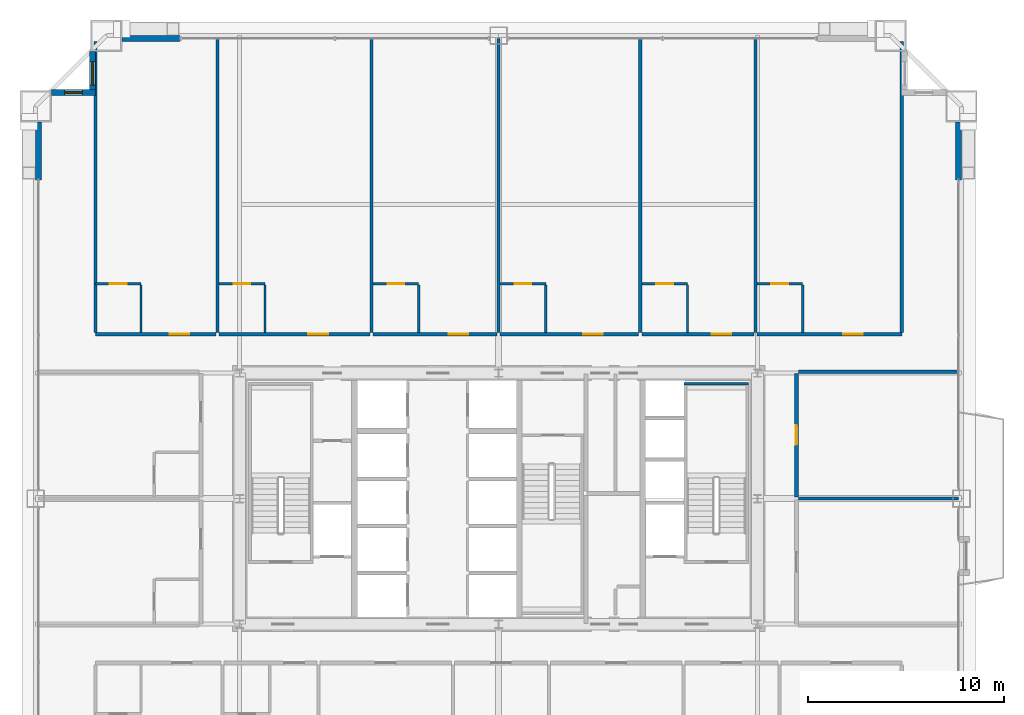
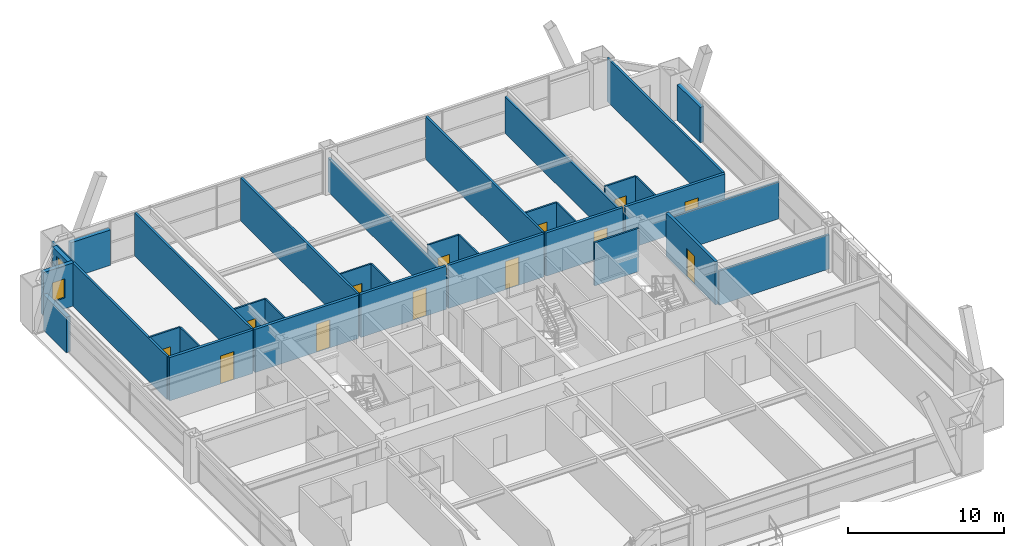
# One storey, part 41 of 43: 34 walls, 13 doors, 2 windows, 15 openings.
"""IFC4 building model written with IfcOpenShell, lengths in metres."""

import ifcopenshell
import ifcopenshell.guid

model = None  # the IFC model being written
_history = None  # IfcOwnerHistory: only IFC2X3 demands one
_inside = {}  # id of a spatial element -> (the spatial element, [elements in it])
_under = {}  # id of a project, library or spatial element -> (it, [spatial elements below it])
_declared = {}  # id of a project -> (the project, [libraries it declares])
_typed = {}  # id of a type object -> (the type object, [elements of that type])
_made_of = {}  # id of a material, layer set ... -> (it, [elements and type objects made of it])


def new_model(schema):
    """Start an empty IFC model of exactly this schema.

    Asked for "IFC4X3", IfcOpenShell would pick the latest addendum, in which some entities
    have other attributes; the version numbers below select the first issue.
    IFC2X3 requires an IfcOwnerHistory on every rooted entity: one is made here for all.
    """
    global model, _history
    if schema == "IFC4X3":
        model = ifcopenshell.file(schema_version=(4, 3, 0, 0))
    else:
        model = ifcopenshell.file(schema=schema)
    _inside.clear()
    _under.clear()
    _declared.clear()
    _typed.clear()
    _made_of.clear()
    _history = None
    if model.schema == "IFC2X3":
        org = make("IfcOrganization", Name="unknown")
        user = make(
            "IfcPersonAndOrganization",
            ThePerson=make("IfcPerson", FamilyName="unknown"),
            TheOrganization=org,
        )
        app = make(
            "IfcApplication",
            ApplicationDeveloper=org,
            Version="unknown",
            ApplicationFullName="unknown",
            ApplicationIdentifier="unknown",
        )
        _history = make(
            "IfcOwnerHistory",
            OwningUser=user,
            OwningApplication=app,
            ChangeAction="ADDED",
            CreationDate=0,
        )
    return model


def make(cls, **values):
    """One entity of the class cls with the attributes given. An attribute that is None is left unset."""
    return model.create_entity(
        cls, **{name: value for name, value in values.items() if value is not None}
    )


def rooted(cls, **values):
    """An entity with a GlobalId (a new one), such as an element, a storey or a relation."""
    return make(cls, GlobalId=ifcopenshell.guid.new(), OwnerHistory=_history, **values)


def si_unit(unit_type, name, prefix=None):
    """IfcSIUnit, for example si_unit("LENGTHUNIT", "METRE", prefix="MILLI")."""
    return make("IfcSIUnit", UnitType=unit_type, Prefix=prefix, Name=name)


def assignment(units):
    """IfcUnitAssignment: the units of a project."""
    return None if units is None else make("IfcUnitAssignment", Units=units)


def point(xyz):
    """IfcCartesianPoint."""
    return None if xyz is None else make("IfcCartesianPoint", Coordinates=xyz)


def direction(xyz):
    """IfcDirection."""
    return None if xyz is None else make("IfcDirection", DirectionRatios=xyz)


def frame(location, z_axis=None, x_axis=None):
    """IfcAxis2Placement3D, a coordinate frame: its origin and axes. An axis left out is left unset."""
    return make(
        "IfcAxis2Placement3D",
        Location=point(location),
        Axis=direction(z_axis),
        RefDirection=direction(x_axis),
    )


def frame_2d(location, x_axis=None):
    """IfcAxis2Placement2D, a coordinate frame in the plane: its origin and x axis."""
    return make(
        "IfcAxis2Placement2D", Location=point(location), RefDirection=direction(x_axis)
    )


def origin():
    """The frame at (0, 0, 0) with its axes left unset."""
    return frame((0.0, 0.0, 0.0))


def place(relative_to, where):
    """IfcLocalPlacement: puts the frame where relative to a parent placement (None: the world)."""
    return make(
        "IfcLocalPlacement", PlacementRelTo=relative_to, RelativePlacement=where
    )


def context(
    kind, dimensions, precision=None, world=None, true_north=None, identifier=None
):
    """IfcGeometricRepresentationContext, for example the 3D "Model" context."""
    return make(
        "IfcGeometricRepresentationContext",
        ContextIdentifier=identifier,
        ContextType=kind,
        CoordinateSpaceDimension=dimensions,
        Precision=precision,
        WorldCoordinateSystem=world,
        TrueNorth=true_north,
    )


def subcontext(parent, identifier, kind, view, scale=None):
    """IfcGeometricRepresentationSubContext, for example "Body" below "Model"."""
    return make(
        "IfcGeometricRepresentationSubContext",
        ContextIdentifier=identifier,
        ContextType=kind,
        ParentContext=parent,
        TargetScale=scale,
        TargetView=view,
    )


def project(units=None, contexts=None):
    """IfcProject with its units and contexts."""
    return rooted(
        "IfcProject",
        Name="project",
        RepresentationContexts=contexts,
        UnitsInContext=assignment(units),
    )


def spatial(cls, under=None, at=None, **own):
    """A site, building, storey or space (cls), placed at a placement, below another one or the project."""
    s = rooted(cls, ObjectPlacement=at, **own)
    if under is not None:
        _under.setdefault(under.id(), (under, []))[1].append(s)
    return s


def profile(cls, at=None, kind="AREA", **sizes):
    """A parametric profile (cls). Its sizes go by their IFC names, for example OverallWidth=200.0."""
    return make(cls, ProfileType=kind, Position=at, **sizes)


def rectangle(**sizes):
    """IfcRectangleProfileDef."""
    return profile("IfcRectangleProfileDef", **sizes)


def extrude(swept, where, along, depth):
    """IfcExtrudedAreaSolid: the profile swept, set in the frame where, extruded along a direction by depth."""
    return make(
        "IfcExtrudedAreaSolid",
        SweptArea=swept,
        Position=where,
        ExtrudedDirection=direction(along),
        Depth=depth,
    )


def shape(context_of_items, identifier, shape_type, items):
    """IfcShapeRepresentation: the items that make up one representation, for example the "Body"."""
    return make(
        "IfcShapeRepresentation",
        ContextOfItems=context_of_items,
        RepresentationIdentifier=identifier,
        RepresentationType=shape_type,
        Items=items,
    )


def source(mapping_origin, context_of_items, identifier, shape_type, items):
    """IfcRepresentationMap: a shape defined once, which mapped items show again and again."""
    return make(
        "IfcRepresentationMap",
        MappingOrigin=mapping_origin,
        MappedRepresentation=shape(context_of_items, identifier, shape_type, items),
    )


def transform(
    local_origin,
    x_axis=None,
    y_axis=None,
    z_axis=None,
    scale=None,
    scale2=None,
    scale3=None,
    uniform=True,
):
    """IfcCartesianTransformationOperator3D, or its non-uniform kind. x_axis, y_axis, z_axis: its Axis1, 2, 3."""
    if uniform:
        return make(
            "IfcCartesianTransformationOperator3D",
            Axis1=direction(x_axis),
            Axis2=direction(y_axis),
            LocalOrigin=point(local_origin),
            Scale=scale,
            Axis3=direction(z_axis),
        )
    return make(
        "IfcCartesianTransformationOperator3DnonUniform",
        Axis1=direction(x_axis),
        Axis2=direction(y_axis),
        LocalOrigin=point(local_origin),
        Scale=scale,
        Axis3=direction(z_axis),
        Scale2=scale2,
        Scale3=scale3,
    )


def mapped(mapping_source, mapping_target):
    """IfcMappedItem: shows the shape of a source again, moved by a transform."""
    return make(
        "IfcMappedItem", MappingSource=mapping_source, MappingTarget=mapping_target
    )


def material(Name=None, Category=None):
    """IfcMaterial."""
    return make("IfcMaterial", Name=Name, Category=Category)


def layer(
    of_material, thickness, ventilated=None, Name=None, Category=None, Priority=None
):
    """IfcMaterialLayer: one layer of a wall or slab, of a material (None: an air gap)."""
    return make(
        "IfcMaterialLayer",
        Material=of_material,
        LayerThickness=thickness,
        IsVentilated=ventilated,
        Name=Name,
        Category=Category,
        Priority=Priority,
    )


def layer_set(layers, Name=None):
    """IfcMaterialLayerSet."""
    return make("IfcMaterialLayerSet", MaterialLayers=layers, LayerSetName=Name)


def made_of(thing, what):
    """Note that an element or type object is made of a material, layer set ...; save() writes the relation."""
    if what is not None:
        _made_of.setdefault(what.id(), (what, []))[1].append(thing)
    return thing


def type_object(cls, material=None, **own):
    """A type object (cls), such as IfcWallType, which elements share."""
    return made_of(rooted(cls, **own), material)


def element(
    cls,
    number,
    at=None,
    inside=None,
    cuts=None,
    type_object=None,
    material=None,
    context=None,
    identifier="Body",
    shape_type=None,
    held_by="IfcProductDefinitionShape",
    body=None,
    shapes=None,
    **own,
):
    """One element of the class cls, such as IfcWall. Its Tag is "e" and its number.

    at: its placement. inside: the storey or other place that contains it. cuts: it is an
    opening in that element (IfcRelVoidsElement). A single representation is given by context,
    identifier, shape_type and body (its items); several are given by shapes. held_by: the class
    of the entity that holds the representations. save() writes the other relations.
    """
    e = rooted(cls, Tag="e%d" % number, ObjectPlacement=at, **own)
    if body is not None:
        shapes = [shape(context, identifier, shape_type, body)]
    if shapes is not None:
        e.Representation = make(held_by, Representations=shapes)
    if inside is not None:
        _inside.setdefault(inside.id(), (inside, []))[1].append(e)
    if cuts is not None:
        rooted(
            "IfcRelVoidsElement", RelatingBuildingElement=cuts, RelatedOpeningElement=e
        )
    if type_object is not None:
        _typed.setdefault(type_object.id(), (type_object, []))[1].append(e)
    return made_of(e, material)


def fill(opening, filler):
    """IfcRelFillsElement: the door or window that sits in an opening."""
    return rooted(
        "IfcRelFillsElement",
        RelatingOpeningElement=opening,
        RelatedBuildingElement=filler,
    )


def aggregate(whole, parts):
    """IfcRelAggregates: a whole, such as a stair, and the parts it consists of."""
    return rooted("IfcRelAggregates", RelatingObject=whole, RelatedObjects=parts)


def save(model, path):
    """Write the relations noted so far, then the file.

    IfcRelAggregates (storeys below a building ...), IfcRelContainedInSpatialStructure (elements
    in a storey), IfcRelDefinesByType, IfcRelAssociatesMaterial and IfcRelDeclares: one each for
    every whole, place, type object, material and project.
    """
    for whole, parts in _under.values():
        aggregate(whole, parts)
    for where, things in _inside.values():
        rooted(
            "IfcRelContainedInSpatialStructure",
            RelatedElements=things,
            RelatingStructure=where,
        )
    for kind, things in _typed.values():
        rooted("IfcRelDefinesByType", RelatedObjects=things, RelatingType=kind)
    for what, things in _made_of.values():
        rooted("IfcRelAssociatesMaterial", RelatedObjects=things, RelatingMaterial=what)
    for by, libraries in _declared.values():
        rooted("IfcRelDeclares", RelatingContext=by, RelatedDefinitions=libraries)
    model.write(path)


model = new_model("IFC4")

# Units and contexts
model_context = context("Model", 3, precision=1e-05, world=origin(), true_north=direction((0.0, 1.0)))
body_context = subcontext(model_context, "Body", "Model", "MODEL_VIEW")
ifc_project = project(units=[si_unit("LENGTHUNIT", "METRE"), si_unit("AREAUNIT", "SQUARE_METRE"), si_unit("VOLUMEUNIT", "CUBIC_METRE"), si_unit("PLANEANGLEUNIT", "RADIAN"), si_unit("MASSUNIT", "GRAM", prefix="KILO"), si_unit("THERMODYNAMICTEMPERATUREUNIT", "KELVIN"), si_unit("POWERUNIT", "WATT")], contexts=[model_context])

# Site, building, storey
site_placement = place(None, origin())
site = spatial("IfcSite", under=ifc_project, at=site_placement, CompositionType="ELEMENT")
building_placement = place(site_placement, origin())
building = spatial("IfcBuilding", under=site, at=building_placement, Name="Yuzanri Waterfront Tower", CompositionType="ELEMENT")
storey_placement = place(building_placement, frame((0.0, 0.0, 159.60009765625)))
storey = spatial("IfcBuildingStorey", under=building, at=storey_placement, Name="L42", CompositionType="ELEMENT", Elevation=159.60009765625)

# Wall, opening, door
ifc_material_1 = material(Name="Moisture-Resistant Gypsum Stud Wall", Category="gypsum")
ifc_layer_1 = layer(ifc_material_1, 0.1201171875)
ifc_layer_set_1 = layer_set([ifc_layer_1], Name="Moisture-Resistant Gypsum Stud Wall")
wall_type_1 = type_object("IfcWallType", Name="Bathroom and Kitchen Wet Partition 120", PredefinedType="PARTITIONING", material=ifc_layer_set_1)
wall_1_placement = place(storey_placement, frame((16.43994140625, 36.760009765625, 0.0), z_axis=(0.0, 0.0, 1.0), x_axis=(1.0, 0.0, 0.0)))
wall_1 = element("IfcWall", 1, at=wall_1_placement, inside=storey, type_object=wall_type_1, Name="L42 Partition UW-L42-N1-BN", PredefinedType="PARTITIONING", context=body_context, shape_type="SweptSolid", body=[
    extrude(rectangle(XDim=2.330078125, YDim=0.1201171875, at=frame_2d((1.1650390625, 0.0))), origin(), (0.0, 0.0, 1.0), 3.3798828125),
])
opening_1_placement = place(wall_1_placement, frame((0.739990234375, 0.0, 0.0)))
opening_1 = element("IfcOpeningElement", 2, at=opening_1_placement, cuts=wall_1, Name="Opening ID-0850", PredefinedType="OPENING", context=body_context, shape_type="SweptSolid", body=[
    extrude(rectangle(XDim=0.85009765625, YDim=2.10009765625, at=frame_2d((0.425048828125, 1.050048828125))), frame((0.0, 0.074951171875, 0.0), z_axis=(0.0, -1.0, 0.0), x_axis=(1.0, 0.0, 0.0)), (0.0, 0.0, 1.0), 0.14990234375),
])
ifc_material_2 = material(Name="Moisture-Resistant Lacquered Timber", Category="wood")
door_type_1 = type_object("IfcDoorType", Name="En-Suite Bathroom and Kitchen Swing Door 850x2100", OperationType="NOTDEFINED", PredefinedType="DOOR", material=ifc_material_2)
shared_shape_1 = source(origin(), body_context, "Body", "SweptSolid", [
    extrude(rectangle(XDim=0.85009765625, YDim=2.10009765625, at=frame_2d((0.425048828125, 1.050048828125))), frame((0.0, 0.02490234375, 0.0), z_axis=(0.0, -1.0, 0.0), x_axis=(1.0, 0.0, 0.0)), (0.0, 0.0, 1.0), 0.050048828125),
])
door_1_placement = place(opening_1_placement, origin())
door_1 = element("IfcDoor", 3, at=door_1_placement, inside=storey, type_object=door_type_1, Name="L42 Guest En-Suite Door", OperationType="SINGLE_SWING_RIGHT", OverallHeight=2.10009765625, OverallWidth=0.85009765625, PredefinedType="DOOR", context=body_context, shape_type="MappedRepresentation", body=[
    mapped(shared_shape_1, transform((0.0, 0.0, 0.0), scale=1.0)),
])
fill(opening_1, door_1)

wall_2_placement = place(storey_placement, frame((22.757080078125, 36.760009765625, 0.0), z_axis=(0.0, 0.0, 1.0), x_axis=(1.0, 0.0, 0.0)))
wall_2 = element("IfcWall", 4, at=wall_2_placement, inside=storey, type_object=wall_type_1, Name="L42 Partition UW-L42-N2-BN", PredefinedType="PARTITIONING", context=body_context, shape_type="SweptSolid", body=[
    extrude(rectangle(XDim=2.329833984375, YDim=0.1201171875, at=frame_2d((1.1650390625, 0.0))), origin(), (0.0, 0.0, 1.0), 3.3798828125),
])
opening_2_placement = place(wall_2_placement, frame((0.739990234375, 0.0, 0.0)))
opening_2 = element("IfcOpeningElement", 5, at=opening_2_placement, cuts=wall_2, Name="Opening ID-0850", PredefinedType="OPENING", context=body_context, shape_type="SweptSolid", body=[
    extrude(rectangle(XDim=0.85009765625, YDim=2.10009765625, at=frame_2d((0.425048828125, 1.050048828125))), frame((0.0, 0.074951171875, 0.0), z_axis=(0.0, -1.0, 0.0), x_axis=(1.0, 0.0, 0.0)), (0.0, 0.0, 1.0), 0.14990234375),
])
door_2_placement = place(opening_2_placement, origin())
door_2 = element("IfcDoor", 6, at=door_2_placement, inside=storey, type_object=door_type_1, Name="L42 Guest En-Suite Door", OperationType="SINGLE_SWING_RIGHT", OverallHeight=2.10009765625, OverallWidth=0.85009765625, PredefinedType="DOOR", context=body_context, shape_type="MappedRepresentation", body=[
    mapped(shared_shape_1, transform((0.0, 0.0, 0.0), scale=1.0)),
])
fill(opening_2, door_2)

wall_3_placement = place(storey_placement, frame((30.596923828125, 36.760009765625, 0.0), z_axis=(0.0, 0.0, 1.0), x_axis=(1.0, 0.0, 0.0)))
wall_3 = element("IfcWall", 7, at=wall_3_placement, inside=storey, type_object=wall_type_1, Name="L42 Partition UW-L42-N3-BN", PredefinedType="PARTITIONING", context=body_context, shape_type="SweptSolid", body=[
    extrude(rectangle(XDim=2.330078125, YDim=0.1201171875, at=frame_2d((1.1650390625, 0.0))), origin(), (0.0, 0.0, 1.0), 3.3798828125),
])
opening_3_placement = place(wall_3_placement, frame((0.739990234375, 0.0, 0.0)))
opening_3 = element("IfcOpeningElement", 8, at=opening_3_placement, cuts=wall_3, Name="Opening ID-0850", PredefinedType="OPENING", context=body_context, shape_type="SweptSolid", body=[
    extrude(rectangle(XDim=0.85009765625, YDim=2.10009765625, at=frame_2d((0.425048828125, 1.050048828125))), frame((0.0, 0.074951171875, 0.0), z_axis=(0.0, -1.0, 0.0), x_axis=(1.0, 0.0, 0.0)), (0.0, 0.0, 1.0), 0.14990234375),
])
door_3_placement = place(opening_3_placement, origin())
door_3 = element("IfcDoor", 9, at=door_3_placement, inside=storey, type_object=door_type_1, Name="L42 Guest En-Suite Door", OperationType="SINGLE_SWING_RIGHT", OverallHeight=2.10009765625, OverallWidth=0.85009765625, PredefinedType="DOOR", context=body_context, shape_type="MappedRepresentation", body=[
    mapped(shared_shape_1, transform((0.0, 0.0, 0.0), scale=1.0)),
])
fill(opening_3, door_3)

wall_4_placement = place(storey_placement, frame((37.080078125, 36.760009765625, 0.0), z_axis=(0.0, 0.0, 1.0), x_axis=(1.0, 0.0, 0.0)))
wall_4 = element("IfcWall", 10, at=wall_4_placement, inside=storey, type_object=wall_type_1, Name="L42 Partition UW-L42-N4-BN", PredefinedType="PARTITIONING", context=body_context, shape_type="SweptSolid", body=[
    extrude(rectangle(XDim=2.329833984375, YDim=0.1201171875, at=frame_2d((1.1650390625, 0.0))), origin(), (0.0, 0.0, 1.0), 3.3798828125),
])
opening_4_placement = place(wall_4_placement, frame((0.739990234375, 0.0, 0.0)))
opening_4 = element("IfcOpeningElement", 11, at=opening_4_placement, cuts=wall_4, Name="Opening ID-0850", PredefinedType="OPENING", context=body_context, shape_type="SweptSolid", body=[
    extrude(rectangle(XDim=0.85009765625, YDim=2.10009765625, at=frame_2d((0.425048828125, 1.050048828125))), frame((0.0, 0.074951171875, 0.0), z_axis=(0.0, -1.0, 0.0), x_axis=(1.0, 0.0, 0.0)), (0.0, 0.0, 1.0), 0.14990234375),
])
door_4_placement = place(opening_4_placement, origin())
door_4 = element("IfcDoor", 12, at=door_4_placement, inside=storey, type_object=door_type_1, Name="L42 Guest En-Suite Door", OperationType="SINGLE_SWING_RIGHT", OverallHeight=2.10009765625, OverallWidth=0.85009765625, PredefinedType="DOOR", context=body_context, shape_type="MappedRepresentation", body=[
    mapped(shared_shape_1, transform((0.0, 0.0, 0.0), scale=1.0)),
])
fill(opening_4, door_4)

wall_5_placement = place(storey_placement, frame((44.302978515625, 36.760009765625, 0.0), z_axis=(0.0, 0.0, 1.0), x_axis=(1.0, 0.0, 0.0)))
wall_5 = element("IfcWall", 13, at=wall_5_placement, inside=storey, type_object=wall_type_1, Name="L42 Partition UW-L42-N5-BN", PredefinedType="PARTITIONING", context=body_context, shape_type="SweptSolid", body=[
    extrude(rectangle(XDim=2.330078125, YDim=0.1201171875, at=frame_2d((1.1650390625, 0.0))), origin(), (0.0, 0.0, 1.0), 3.3798828125),
])
opening_5_placement = place(wall_5_placement, frame((0.739990234375, 0.0, 0.0)))
opening_5 = element("IfcOpeningElement", 14, at=opening_5_placement, cuts=wall_5, Name="Opening ID-0850", PredefinedType="OPENING", context=body_context, shape_type="SweptSolid", body=[
    extrude(rectangle(XDim=0.85009765625, YDim=2.10009765625, at=frame_2d((0.425048828125, 1.050048828125))), frame((0.0, 0.074951171875, 0.0), z_axis=(0.0, -1.0, 0.0), x_axis=(1.0, 0.0, 0.0)), (0.0, 0.0, 1.0), 0.14990234375),
])
door_5_placement = place(opening_5_placement, origin())
door_5 = element("IfcDoor", 15, at=door_5_placement, inside=storey, type_object=door_type_1, Name="L42 Guest En-Suite Door", OperationType="SINGLE_SWING_RIGHT", OverallHeight=2.10009765625, OverallWidth=0.85009765625, PredefinedType="DOOR", context=body_context, shape_type="MappedRepresentation", body=[
    mapped(shared_shape_1, transform((0.0, 0.0, 0.0), scale=1.0)),
])
fill(opening_5, door_5)

wall_6_placement = place(storey_placement, frame((50.169921875, 36.760009765625, 0.0), z_axis=(0.0, 0.0, 1.0), x_axis=(1.0, 0.0, 0.0)))
wall_6 = element("IfcWall", 16, at=wall_6_placement, inside=storey, type_object=wall_type_1, Name="L42 Partition UW-L42-N6-BN", PredefinedType="PARTITIONING", context=body_context, shape_type="SweptSolid", body=[
    extrude(rectangle(XDim=2.330078125, YDim=0.1201171875, at=frame_2d((1.1650390625, 0.0))), origin(), (0.0, 0.0, 1.0), 3.3798828125),
])
opening_6_placement = place(wall_6_placement, frame((0.739990234375, 0.0, 0.0)))
opening_6 = element("IfcOpeningElement", 17, at=opening_6_placement, cuts=wall_6, Name="Opening ID-0850", PredefinedType="OPENING", context=body_context, shape_type="SweptSolid", body=[
    extrude(rectangle(XDim=0.85009765625, YDim=2.10009765625, at=frame_2d((0.425048828125, 1.050048828125))), frame((0.0, 0.074951171875, 0.0), z_axis=(0.0, -1.0, 0.0), x_axis=(1.0, 0.0, 0.0)), (0.0, 0.0, 1.0), 0.14990234375),
])
door_6_placement = place(opening_6_placement, origin())
door_6 = element("IfcDoor", 18, at=door_6_placement, inside=storey, type_object=door_type_1, Name="L42 Guest En-Suite Door", OperationType="SINGLE_SWING_RIGHT", OverallHeight=2.10009765625, OverallWidth=0.85009765625, PredefinedType="DOOR", context=body_context, shape_type="MappedRepresentation", body=[
    mapped(shared_shape_1, transform((0.0, 0.0, 0.0), scale=1.0)),
])
fill(opening_6, door_6)

# Wall, opening, window
ifc_material_3 = material(Name="Honed Chongqing Dark Basalt Stone", Category="masonry")
ifc_layer_2 = layer(ifc_material_3, 0.300048828125)
ifc_layer_set_2 = layer_set([ifc_layer_2], Name="Honed Chongqing Dark Basalt Stone")
wall_type_2 = type_object("IfcWallType", Name="Bronze Rainscreen Insulated Spandrel Portal Wall 300", PredefinedType="SOLIDWALL", material=ifc_layer_set_2)
wall_7_placement = place(storey_placement, frame((16.449951171875, 46.5, 0.0), z_axis=(0.0, 0.0, 1.0), x_axis=(-1.0, 0.0, 0.0)))
wall_7 = element("IfcWall", 19, at=wall_7_placement, inside=storey, type_object=wall_type_2, Name="L42 Notched Corner Masonry Wall NW-X", PredefinedType="SOLIDWALL", context=body_context, shape_type="SweptSolid", body=[
    extrude(rectangle(XDim=2.25, YDim=0.300048828125, at=frame_2d((1.125, 0.0))), origin(), (0.0, 0.0, 1.0), 3.3798828125),
])
opening_7_placement = place(wall_7_placement, frame((0.675048828125, 0.0, 0.85009765625)))
opening_7 = element("IfcOpeningElement", 20, at=opening_7_placement, cuts=wall_7, Name="Opening WN-05", PredefinedType="OPENING", context=body_context, shape_type="SweptSolid", body=[
    extrude(rectangle(XDim=0.89990234375, YDim=1.5, at=frame_2d((0.449951171875, 0.75))), frame((0.0, 0.1650390625, 0.0), z_axis=(0.0, -1.0, 0.0), x_axis=(1.0, 0.0, 0.0)), (0.0, 0.0, 1.0), 0.329833984375),
])
ifc_material_4 = material(Name="Double-Silver Low-E Insulated Glass", Category="glass")
window_type_1 = type_object("IfcWindowType", Name="Anodized Bronze Service and Stairwell Smoke-Vent Window 900x1500", PartitioningType="SINGLE_PANEL", PredefinedType="WINDOW", material=ifc_material_4)
shared_shape_2 = source(origin(), body_context, "Body", "SweptSolid", [
    extrude(rectangle(XDim=0.89990234375, YDim=1.5, at=frame_2d((0.449951171875, 0.75))), frame((0.0, 0.030029296875, 0.0), z_axis=(0.0, -1.0, 0.0), x_axis=(1.0, 0.0, 0.0)), (0.0, 0.0, 1.0), 0.06005859375),
])
window_1_placement = place(opening_7_placement, origin())
window_1 = element("IfcWindow", 21, at=window_1_placement, inside=storey, type_object=window_type_1, Name="L42 Notched Corner Window NW-X", OverallHeight=1.5, OverallWidth=0.89990234375, PartitioningType="SINGLE_PANEL", PredefinedType="WINDOW", context=body_context, shape_type="MappedRepresentation", body=[
    mapped(shared_shape_2, transform((0.0, 0.0, 0.0), scale=1.0)),
])
fill(opening_7, window_1)

wall_8_placement = place(storey_placement, frame((16.300048828125, 48.60009765625, 0.0), z_axis=(0.0, 0.0, 1.0), x_axis=(0.0, -1.0, 0.0)))
wall_8 = element("IfcWall", 22, at=wall_8_placement, inside=storey, type_object=wall_type_2, Name="L42 Notched Corner Masonry Wall NW-Y", PredefinedType="SOLIDWALL", context=body_context, shape_type="SweptSolid", body=[
    extrude(rectangle(XDim=2.25, YDim=0.300048828125, at=frame_2d((1.125, 0.0))), origin(), (0.0, 0.0, 1.0), 3.3798828125),
])
opening_8_placement = place(wall_8_placement, frame((0.52490234375, 0.0, 0.85009765625)))
opening_8 = element("IfcOpeningElement", 23, at=opening_8_placement, cuts=wall_8, Name="Opening WN-02", PredefinedType="OPENING", context=body_context, shape_type="SweptSolid", body=[
    extrude(rectangle(XDim=1.199951171875, YDim=2.10009765625, at=frame_2d((0.60009765625, 1.050048828125))), frame((0.0, 0.1650390625, 0.0), z_axis=(0.0, -1.0, 0.0), x_axis=(1.0, 0.0, 0.0)), (0.0, 0.0, 1.0), 0.329833984375),
])
ifc_material_5 = material(Name="Double-Silver Low-E Insulated Glass", Category="glass")
window_type_2 = type_object("IfcWindowType", Name="Anodized Bronze Notched Corner Deep-Set Slot Window 1200x2100", PartitioningType="SINGLE_PANEL", PredefinedType="WINDOW", material=ifc_material_5)
shared_shape_3 = source(origin(), body_context, "Body", "SweptSolid", [
    extrude(rectangle(XDim=1.199951171875, YDim=2.10009765625, at=frame_2d((0.60009765625, 1.050048828125))), frame((0.0, 0.030029296875, 0.0), z_axis=(0.0, -1.0, 0.0), x_axis=(1.0, 0.0, 0.0)), (0.0, 0.0, 1.0), 0.06005859375),
])
window_2_placement = place(opening_8_placement, origin())
window_2 = element("IfcWindow", 24, at=window_2_placement, inside=storey, type_object=window_type_2, Name="L42 Notched Corner Window NW-Y", OverallHeight=2.10009765625, OverallWidth=1.199951171875, PartitioningType="SINGLE_PANEL", PredefinedType="WINDOW", context=body_context, shape_type="MappedRepresentation", body=[
    mapped(shared_shape_3, transform((0.0, 0.0, 0.0), scale=1.0)),
])
fill(opening_8, window_2)

# Wall, opening, door
ifc_material_6 = material(Name="Autoclaved Aerated Concrete Blockwork", Category="masonry")
ifc_layer_3 = layer(ifc_material_6, 0.199951171875)
ifc_layer_set_3 = layer_set([ifc_layer_3], Name="Autoclaved Aerated Concrete Blockwork")
wall_type_3 = type_object("IfcWallType", Name="Corridor and Unit Party Fire Wall 200", PredefinedType="PARTITIONING", material=ifc_layer_set_3)
wall_9_placement = place(storey_placement, frame((16.43994140625, 34.179931640625, 0.0), z_axis=(0.0, 0.0, 1.0), x_axis=(1.0, 0.0, 0.0)))
wall_9 = element("IfcWall", 25, at=wall_9_placement, inside=storey, type_object=wall_type_3, Name="L42 Partition UW-L42-N1-CS", PredefinedType="PARTITIONING", context=body_context, shape_type="SweptSolid", body=[
    extrude(rectangle(XDim=6.156982421875, YDim=0.199951171875, at=frame_2d((3.07861328125, 0.0))), origin(), (0.0, 0.0, 1.0), 3.3798828125),
])
opening_9_placement = place(wall_9_placement, frame((3.783935546875, 0.0, 0.0)))
opening_9 = element("IfcOpeningElement", 26, at=opening_9_placement, cuts=wall_9, Name="Opening FD-1000", PredefinedType="OPENING", context=body_context, shape_type="SweptSolid", body=[
    extrude(rectangle(XDim=1.0, YDim=2.199951171875, at=frame_2d((0.5, 1.10009765625))), frame((0.0, 0.11474609375, 0.0), z_axis=(0.0, -1.0, 0.0), x_axis=(1.0, 0.0, 0.0)), (0.0, 0.0, 1.0), 0.229736328125),
])
ifc_material_7 = material(Name="Engineered Oak Fire-Rated Timber", Category="wood")
door_type_2 = type_object("IfcDoorType", Name="Guestroom and Apartment Entrance Fire Door 1000x2200", OperationType="NOTDEFINED", PredefinedType="DOOR", material=ifc_material_7)
shared_shape_4 = source(origin(), body_context, "Body", "SweptSolid", [
    extrude(rectangle(XDim=1.0, YDim=2.199951171875, at=frame_2d((0.5, 1.10009765625))), frame((0.0, 0.02490234375, 0.0), z_axis=(0.0, -1.0, 0.0), x_axis=(1.0, 0.0, 0.0)), (0.0, 0.0, 1.0), 0.050048828125),
])
door_7_placement = place(opening_9_placement, origin())
door_7 = element("IfcDoor", 27, at=door_7_placement, inside=storey, type_object=door_type_2, Name="L42 Deluxe Queen Junior Suite Entrance Door", OperationType="SINGLE_SWING_LEFT", OverallHeight=2.199951171875, OverallWidth=1.0, PredefinedType="DOOR", context=body_context, shape_type="MappedRepresentation", body=[
    mapped(shared_shape_4, transform((0.0, 0.0, 0.0), scale=1.0)),
])
fill(opening_9, door_7)

wall_10_placement = place(storey_placement, frame((22.757080078125, 34.179931640625, 0.0), z_axis=(0.0, 0.0, 1.0), x_axis=(1.0, 0.0, 0.0)))
wall_10 = element("IfcWall", 28, at=wall_10_placement, inside=storey, type_object=wall_type_3, Name="L42 Partition UW-L42-N2-CS", PredefinedType="PARTITIONING", context=body_context, shape_type="SweptSolid", body=[
    extrude(rectangle(XDim=7.679931640625, YDim=0.199951171875, at=frame_2d((3.83984375, 0.0))), origin(), (0.0, 0.0, 1.0), 3.3798828125),
])
opening_10_placement = place(wall_10_placement, frame((4.544921875, 0.0, 0.0)))
opening_10 = element("IfcOpeningElement", 29, at=opening_10_placement, cuts=wall_10, Name="Opening FD-1000", PredefinedType="OPENING", context=body_context, shape_type="SweptSolid", body=[
    extrude(rectangle(XDim=1.0, YDim=2.199951171875, at=frame_2d((0.5, 1.10009765625))), frame((0.0, 0.11474609375, 0.0), z_axis=(0.0, -1.0, 0.0), x_axis=(1.0, 0.0, 0.0)), (0.0, 0.0, 1.0), 0.229736328125),
])
door_8_placement = place(opening_10_placement, origin())
door_8 = element("IfcDoor", 30, at=door_8_placement, inside=storey, type_object=door_type_2, Name="L42 Deluxe Queen Junior Suite Entrance Door", OperationType="SINGLE_SWING_LEFT", OverallHeight=2.199951171875, OverallWidth=1.0, PredefinedType="DOOR", context=body_context, shape_type="MappedRepresentation", body=[
    mapped(shared_shape_4, transform((0.0, 0.0, 0.0), scale=1.0)),
])
fill(opening_10, door_8)

wall_11_placement = place(storey_placement, frame((30.596923828125, 34.179931640625, 0.0), z_axis=(0.0, 0.0, 1.0), x_axis=(1.0, 0.0, 0.0)))
wall_11 = element("IfcWall", 31, at=wall_11_placement, inside=storey, type_object=wall_type_3, Name="L42 Partition UW-L42-N3-CS", PredefinedType="PARTITIONING", context=body_context, shape_type="SweptSolid", body=[
    extrude(rectangle(XDim=6.322998046875, YDim=0.199951171875, at=frame_2d((3.16162109375, 0.0))), origin(), (0.0, 0.0, 1.0), 3.3798828125),
])
opening_11_placement = place(wall_11_placement, frame((3.865966796875, 0.0, 0.0)))
opening_11 = element("IfcOpeningElement", 32, at=opening_11_placement, cuts=wall_11, Name="Opening FD-1000", PredefinedType="OPENING", context=body_context, shape_type="SweptSolid", body=[
    extrude(rectangle(XDim=1.0, YDim=2.199951171875, at=frame_2d((0.5, 1.10009765625))), frame((0.0, 0.11474609375, 0.0), z_axis=(0.0, -1.0, 0.0), x_axis=(1.0, 0.0, 0.0)), (0.0, 0.0, 1.0), 0.229736328125),
])
door_9_placement = place(opening_11_placement, origin())
door_9 = element("IfcDoor", 33, at=door_9_placement, inside=storey, type_object=door_type_2, Name="L42 Deluxe Queen Junior Suite Entrance Door", OperationType="SINGLE_SWING_LEFT", OverallHeight=2.199951171875, OverallWidth=1.0, PredefinedType="DOOR", context=body_context, shape_type="MappedRepresentation", body=[
    mapped(shared_shape_4, transform((0.0, 0.0, 0.0), scale=1.0)),
])
fill(opening_11, door_9)

wall_12_placement = place(storey_placement, frame((37.080078125, 34.179931640625, 0.0), z_axis=(0.0, 0.0, 1.0), x_axis=(1.0, 0.0, 0.0)))
wall_12 = element("IfcWall", 34, at=wall_12_placement, inside=storey, type_object=wall_type_3, Name="L42 Partition UW-L42-N4-CS", PredefinedType="PARTITIONING", context=body_context, shape_type="SweptSolid", body=[
    extrude(rectangle(XDim=7.06298828125, YDim=0.199951171875, at=frame_2d((3.531494140625, 0.0))), origin(), (0.0, 0.0, 1.0), 3.3798828125),
])
opening_12_placement = place(wall_12_placement, frame((4.236083984375, 0.0, 0.0)))
opening_12 = element("IfcOpeningElement", 35, at=opening_12_placement, cuts=wall_12, Name="Opening FD-1000", PredefinedType="OPENING", context=body_context, shape_type="SweptSolid", body=[
    extrude(rectangle(XDim=1.0, YDim=2.199951171875, at=frame_2d((0.5, 1.10009765625))), frame((0.0, 0.11474609375, 0.0), z_axis=(0.0, -1.0, 0.0), x_axis=(1.0, 0.0, 0.0)), (0.0, 0.0, 1.0), 0.229736328125),
])
door_10_placement = place(opening_12_placement, origin())
door_10 = element("IfcDoor", 36, at=door_10_placement, inside=storey, type_object=door_type_2, Name="L42 Deluxe Queen Junior Suite Entrance Door", OperationType="SINGLE_SWING_LEFT", OverallHeight=2.199951171875, OverallWidth=1.0, PredefinedType="DOOR", context=body_context, shape_type="MappedRepresentation", body=[
    mapped(shared_shape_4, transform((0.0, 0.0, 0.0), scale=1.0)),
])
fill(opening_12, door_10)

wall_13_placement = place(storey_placement, frame((44.302978515625, 34.179931640625, 0.0), z_axis=(0.0, 0.0, 1.0), x_axis=(1.0, 0.0, 0.0)))
wall_13 = element("IfcWall", 37, at=wall_13_placement, inside=storey, type_object=wall_type_3, Name="L42 Partition UW-L42-N5-CS", PredefinedType="PARTITIONING", context=body_context, shape_type="SweptSolid", body=[
    extrude(rectangle(XDim=5.70703125, YDim=0.199951171875, at=frame_2d((2.853515625, 0.0))), origin(), (0.0, 0.0, 1.0), 3.3798828125),
])
opening_13_placement = place(wall_13_placement, frame((3.55810546875, 0.0, 0.0)))
opening_13 = element("IfcOpeningElement", 38, at=opening_13_placement, cuts=wall_13, Name="Opening FD-1000", PredefinedType="OPENING", context=body_context, shape_type="SweptSolid", body=[
    extrude(rectangle(XDim=1.0, YDim=2.199951171875, at=frame_2d((0.5, 1.10009765625))), frame((0.0, 0.11474609375, 0.0), z_axis=(0.0, -1.0, 0.0), x_axis=(1.0, 0.0, 0.0)), (0.0, 0.0, 1.0), 0.229736328125),
])
door_11_placement = place(opening_13_placement, origin())
door_11 = element("IfcDoor", 39, at=door_11_placement, inside=storey, type_object=door_type_2, Name="L42 Deluxe Queen Junior Suite Entrance Door", OperationType="SINGLE_SWING_LEFT", OverallHeight=2.199951171875, OverallWidth=1.0, PredefinedType="DOOR", context=body_context, shape_type="MappedRepresentation", body=[
    mapped(shared_shape_4, transform((0.0, 0.0, 0.0), scale=1.0)),
])
fill(opening_13, door_11)

wall_14_placement = place(storey_placement, frame((50.169921875, 34.179931640625, 0.0), z_axis=(0.0, 0.0, 1.0), x_axis=(1.0, 0.0, 0.0)))
wall_14 = element("IfcWall", 40, at=wall_14_placement, inside=storey, type_object=wall_type_3, Name="L42 Partition UW-L42-N6-CS", PredefinedType="PARTITIONING", context=body_context, shape_type="SweptSolid", body=[
    extrude(rectangle(XDim=7.39013671875, YDim=0.199951171875, at=frame_2d((3.695068359375, 0.0))), origin(), (0.0, 0.0, 1.0), 3.3798828125),
])
opening_14_placement = place(wall_14_placement, frame((4.39990234375, 0.0, 0.0)))
opening_14 = element("IfcOpeningElement", 41, at=opening_14_placement, cuts=wall_14, Name="Opening FD-1000", PredefinedType="OPENING", context=body_context, shape_type="SweptSolid", body=[
    extrude(rectangle(XDim=1.0, YDim=2.199951171875, at=frame_2d((0.5, 1.10009765625))), frame((0.0, 0.11474609375, 0.0), z_axis=(0.0, -1.0, 0.0), x_axis=(1.0, 0.0, 0.0)), (0.0, 0.0, 1.0), 0.229736328125),
])
door_12_placement = place(opening_14_placement, origin())
door_12 = element("IfcDoor", 42, at=door_12_placement, inside=storey, type_object=door_type_2, Name="L42 Deluxe Queen Junior Suite Entrance Door", OperationType="SINGLE_SWING_LEFT", OverallHeight=2.199951171875, OverallWidth=1.0, PredefinedType="DOOR", context=body_context, shape_type="MappedRepresentation", body=[
    mapped(shared_shape_4, transform((0.0, 0.0, 0.0), scale=1.0)),
])
fill(opening_14, door_12)

wall_15_placement = place(storey_placement, frame((52.179931640625, 25.8798828125, 0.0), z_axis=(0.0, 0.0, 1.0), x_axis=(0.0, 1.0, 0.0)))
wall_15 = element("IfcWall", 43, at=wall_15_placement, inside=storey, type_object=wall_type_3, Name="L42 Partition UW-L42-E2-CW", PredefinedType="PARTITIONING", context=body_context, shape_type="SweptSolid", body=[
    extrude(rectangle(XDim=6.31005859375, YDim=0.199951171875, at=frame_2d((3.155029296875, 0.0))), origin(), (0.0, 0.0, 1.0), 3.3798828125),
])
opening_15_placement = place(wall_15_placement, frame((2.655029296875, 0.0, 0.0)))
opening_15 = element("IfcOpeningElement", 44, at=opening_15_placement, cuts=wall_15, Name="Opening FD-1000", PredefinedType="OPENING", context=body_context, shape_type="SweptSolid", body=[
    extrude(rectangle(XDim=1.0, YDim=2.199951171875, at=frame_2d((0.5, 1.10009765625))), frame((0.0, 0.11474609375, 0.0), z_axis=(0.0, -1.0, 0.0), x_axis=(1.0, 0.0, 0.0)), (0.0, 0.0, 1.0), 0.229736328125),
])
door_13_placement = place(opening_15_placement, origin())
door_13 = element("IfcDoor", 45, at=door_13_placement, inside=storey, type_object=door_type_2, Name="L42 Boardroom 2 Entrance Door", OperationType="SINGLE_SWING_RIGHT", OverallHeight=2.199951171875, OverallWidth=1.0, PredefinedType="DOOR", context=body_context, shape_type="MappedRepresentation", body=[
    mapped(shared_shape_4, transform((0.0, 0.0, 0.0), scale=1.0)),
])
fill(opening_15, door_13)

# Walls
shared_shape_5 = source(origin(), body_context, "Body", "SweptSolid", [
    extrude(rectangle(XDim=2.949951171875, YDim=0.300048828125, at=frame_2d((1.47509765625, 0.0))), origin(), (0.0, 0.0, 1.0), 2.77490234375),
])
for number, where, z_axis, x_axis, name in (
    (46, (17.800048828125, 49.25, 0.0), (0.0, 0.0, 1.0), (1.0, 0.0, 0.0), "L42 N Left Braced Masonry Shoulder"),
    (47, (13.550048828125, 42.050048828125, 0.0), (0.0, 0.0, 1.0), (0.0, 1.0, 0.0), "L42 W Right Braced Masonry Shoulder"),
    (48, (60.449951171875, 42.050048828125, 0.0), (0.0, 0.0, 1.0), (0.0, 1.0, 0.0), "L42 E Right Braced Masonry Shoulder"),
):
    element("IfcWall", number, at=place(storey_placement, frame(where, z_axis=z_axis, x_axis=x_axis)), inside=storey, type_object=wall_type_2, Name=name, PredefinedType="SOLIDWALL", context=body_context, shape_type="MappedRepresentation", body=[
        mapped(shared_shape_5, transform((0.0, 0.0, 0.0), scale=1.0)),
    ])
ifc_material_8 = material(Name="Concrete C40", Category="concrete")
ifc_layer_4 = layer(ifc_material_8, 0.139892578125)
ifc_layer_set_4 = layer_set([ifc_layer_4], Name="Concrete C40")
wall_type_4 = type_object("IfcWallType", Name="Core Stair Liner and Hoistway Shaft Wall 140", PredefinedType="SOLIDWALL", material=ifc_layer_set_4)
shared_shape_6 = source(origin(), body_context, "Body", "SweptSolid", [
    extrude(rectangle(XDim=3.280029296875, YDim=0.139892578125, at=frame_2d((1.64013671875, 0.0))), origin(), (0.0, 0.0, 1.0), 3.3798828125),
])
wall_16_placement = place(storey_placement, frame((46.4599609375, 31.64990234375, 0.0), z_axis=(0.0, 0.0, 1.0), x_axis=(1.0, 0.0, 0.0)))
element("IfcWall", 49, at=wall_16_placement, inside=storey, type_object=wall_type_4, Name="L42 Stair ST-02 North Shaft Wall", PredefinedType="SOLIDWALL", context=body_context, shape_type="MappedRepresentation", body=[
    mapped(shared_shape_6, transform((0.0, 0.0, 0.0), scale=1.0)),
])
shared_shape_7 = source(origin(), body_context, "Body", "SweptSolid", [
    extrude(rectangle(XDim=2.419921875, YDim=0.1201171875, at=frame_2d((1.2099609375, 0.0))), origin(), (0.0, 0.0, 1.0), 3.3798828125),
])
for number, where, z_axis, x_axis, name in (
    (50, (18.77001953125, 34.280029296875, 0.0), (0.0, 0.0, 1.0), (0.0, 1.0, 0.0), "L42-N1 En-Suite Side Wall"),
    (51, (25.0869140625, 34.280029296875, 0.0), (0.0, 0.0, 1.0), (0.0, 1.0, 0.0), "L42-N2 En-Suite Side Wall"),
    (52, (32.927001953125, 34.280029296875, 0.0), (0.0, 0.0, 1.0), (0.0, 1.0, 0.0), "L42-N3 En-Suite Side Wall"),
    (53, (39.409912109375, 34.280029296875, 0.0), (0.0, 0.0, 1.0), (0.0, 1.0, 0.0), "L42-N4 En-Suite Side Wall"),
    (54, (46.633056640625, 34.280029296875, 0.0), (0.0, 0.0, 1.0), (0.0, 1.0, 0.0), "L42-N5 En-Suite Side Wall"),
    (55, (52.5, 34.280029296875, 0.0), (0.0, 0.0, 1.0), (0.0, 1.0, 0.0), "L42-N6 En-Suite Side Wall"),
):
    element("IfcWall", number, at=place(storey_placement, frame(where, z_axis=z_axis, x_axis=x_axis)), inside=storey, type_object=wall_type_1, Name=name, PredefinedType="PARTITIONING", context=body_context, shape_type="MappedRepresentation", body=[
        mapped(shared_shape_7, transform((0.0, 0.0, 0.0), scale=1.0)),
    ])
ifc_material_9 = material(Name="Gypsum Fireboard Acoustic Stud Wall", Category="gypsum")
ifc_layer_5 = layer(ifc_material_9, 0.159912109375)
ifc_layer_set_5 = layer_set([ifc_layer_5], Name="Gypsum Fireboard Acoustic Stud Wall")
wall_type_5 = type_object("IfcWallType", Name="Acoustic Suite Demising Partition 160", PredefinedType="PARTITIONING", material=ifc_layer_set_5)
shared_shape_8 = source(origin(), body_context, "Body", "SweptSolid", [
    extrude(rectangle(XDim=8.169921875, YDim=0.159912109375, at=frame_2d((4.0849609375, 0.0))), origin(), (0.0, 0.0, 1.0), 2.875),
])
wall_17_placement = place(storey_placement, frame((52.280029296875, 32.27001953125, 0.0), z_axis=(0.0, 0.0, 1.0), x_axis=(1.0, 0.0, 0.0)))
element("IfcWall", 56, at=wall_17_placement, inside=storey, type_object=wall_type_5, Name="L42-E2 Wing North End Wall", PredefinedType="PARTITIONING", context=body_context, shape_type="MappedRepresentation", body=[
    mapped(shared_shape_8, transform((0.0, 0.0, 0.0), scale=1.0)),
])
shared_shape_9 = source(origin(), body_context, "Body", "SweptSolid", [
    extrude(rectangle(XDim=14.969970703125, YDim=0.159912109375, at=frame_2d((7.48486328125, 0.0))), origin(), (0.0, 0.0, 1.0), 3.3798828125),
])
for number, where, z_axis, x_axis, name in (
    (57, (22.677001953125, 34.280029296875, 0.0), (0.0, 0.0, 1.0), (0.0, 1.0, 0.0), "L42-N1 Party Wall"),
    (58, (30.51708984375, 34.280029296875, 0.0), (0.0, 0.0, 1.0), (0.0, 1.0, 0.0), "L42-N2 Party Wall"),
    (59, (44.222900390625, 34.280029296875, 0.0), (0.0, 0.0, 1.0), (0.0, 1.0, 0.0), "L42-N4 Party Wall"),
):
    element("IfcWall", number, at=place(storey_placement, frame(where, z_axis=z_axis, x_axis=x_axis)), inside=storey, type_object=wall_type_5, Name=name, PredefinedType="PARTITIONING", context=body_context, shape_type="MappedRepresentation", body=[
        mapped(shared_shape_9, transform((0.0, 0.0, 0.0), scale=1.0)),
    ])
shared_shape_10 = source(origin(), body_context, "Body", "SweptSolid", [
    extrude(rectangle(XDim=14.820068359375, YDim=0.159912109375, at=frame_2d((7.41015625, 0.0))), origin(), (0.0, 0.0, 1.0), 3.3798828125),
])
for number, where, z_axis, x_axis, name in (
    (60, (16.449951171875, 34.280029296875, 0.0), (0.0, 0.0, 1.0), (0.0, 1.0, 0.0), "L42 North Band West End Wall"),
    (61, (57.550048828125, 34.280029296875, 0.0), (0.0, 0.0, 1.0), (0.0, 1.0, 0.0), "L42 North Band East End Wall"),
):
    element("IfcWall", number, at=place(storey_placement, frame(where, z_axis=z_axis, x_axis=x_axis)), inside=storey, type_object=wall_type_5, Name=name, PredefinedType="PARTITIONING", context=body_context, shape_type="MappedRepresentation", body=[
        mapped(shared_shape_10, transform((0.0, 0.0, 0.0), scale=1.0)),
    ])
shared_shape_11 = source(origin(), body_context, "Body", "SweptSolid", [
    extrude(rectangle(XDim=14.969970703125, YDim=0.159912109375, at=frame_2d((7.48486328125, 0.0))), origin(), (0.0, 0.0, 1.0), 2.6748046875),
])
wall_18_placement = place(storey_placement, frame((37.0, 34.280029296875, 0.0), z_axis=(0.0, 0.0, 1.0), x_axis=(0.0, 1.0, 0.0)))
element("IfcWall", 62, at=wall_18_placement, inside=storey, type_object=wall_type_5, Name="L42-N3 Party Wall", PredefinedType="PARTITIONING", context=body_context, shape_type="MappedRepresentation", body=[
    mapped(shared_shape_11, transform((0.0, 0.0, 0.0), scale=1.0)),
])
shared_shape_12 = source(origin(), body_context, "Body", "SweptSolid", [
    extrude(rectangle(XDim=8.169921875, YDim=0.159912109375, at=frame_2d((4.0849609375, 0.0))), origin(), (0.0, 0.0, 1.0), 2.6748046875),
])
wall_19_placement = place(storey_placement, frame((52.280029296875, 25.800048828125, 0.0), z_axis=(0.0, 0.0, 1.0), x_axis=(1.0, 0.0, 0.0)))
element("IfcWall", 63, at=wall_19_placement, inside=storey, type_object=wall_type_5, Name="L42-E1 Wing Party Wall", PredefinedType="PARTITIONING", context=body_context, shape_type="MappedRepresentation", body=[
    mapped(shared_shape_12, transform((0.0, 0.0, 0.0), scale=1.0)),
])
shared_shape_13 = source(origin(), body_context, "Body", "SweptSolid", [
    extrude(rectangle(XDim=14.969970703125, YDim=0.159912109375, at=frame_2d((7.48486328125, 0.0))), origin(), (0.0, 0.0, 1.0), 2.875),
])
wall_20_placement = place(storey_placement, frame((50.090087890625, 34.280029296875, 0.0), z_axis=(0.0, 0.0, 1.0), x_axis=(0.0, 1.0, 0.0)))
element("IfcWall", 64, at=wall_20_placement, inside=storey, type_object=wall_type_5, Name="L42-N5 Party Wall", PredefinedType="PARTITIONING", context=body_context, shape_type="MappedRepresentation", body=[
    mapped(shared_shape_13, transform((0.0, 0.0, 0.0), scale=1.0)),
])

save(model, "model.ifc")
